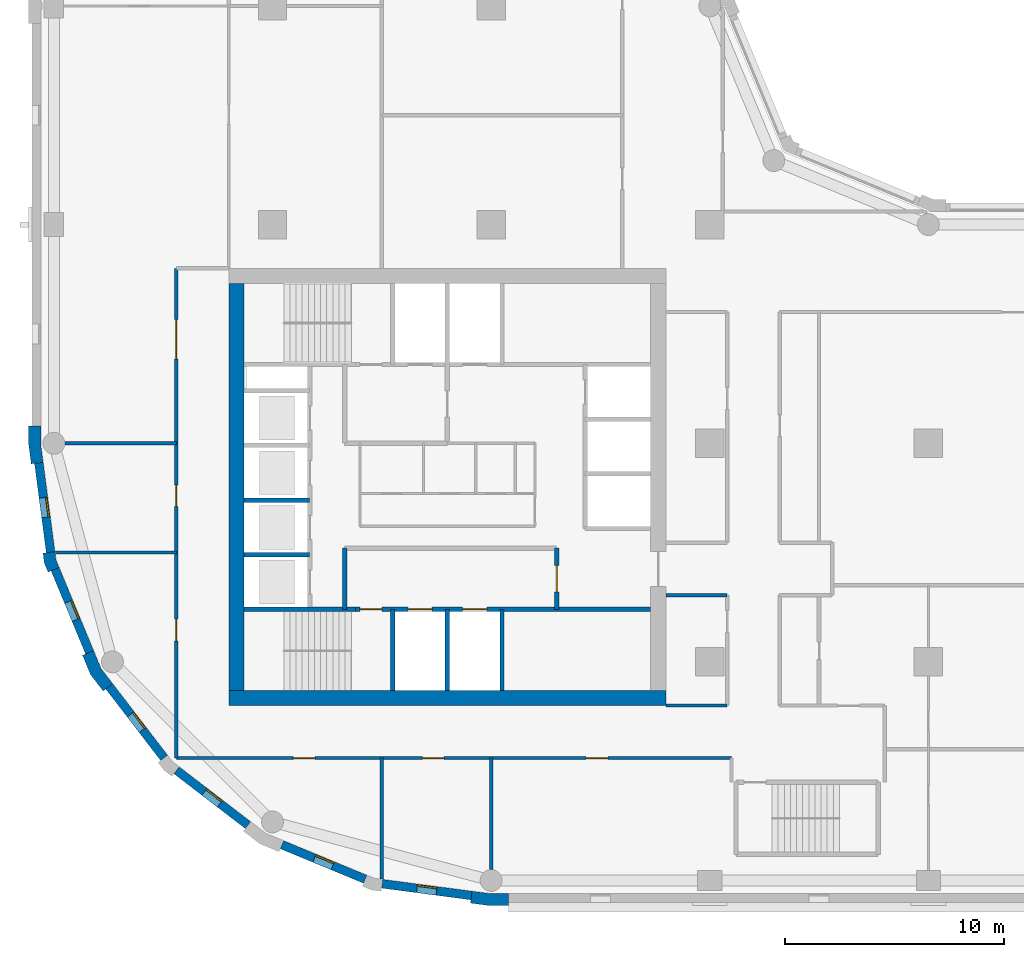
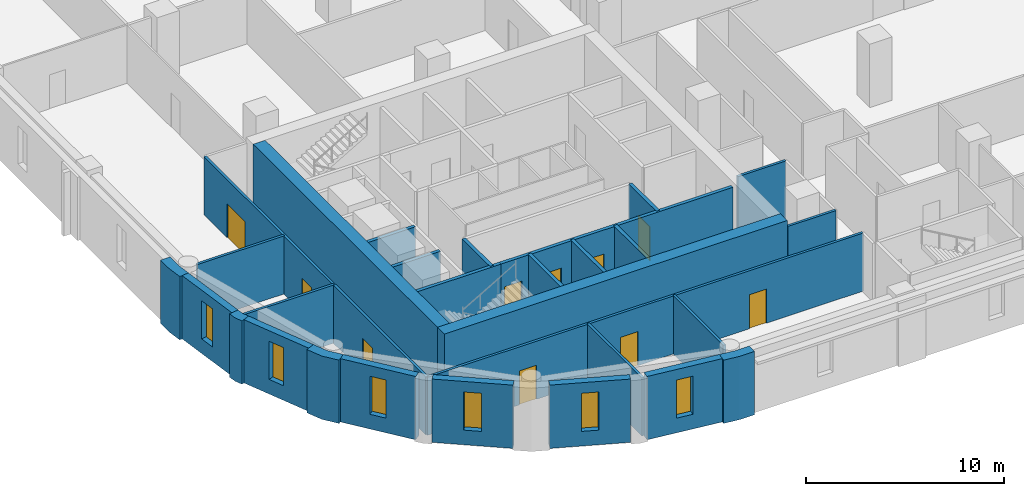
# One storey, part 2 of 10: 29 walls, 10 doors, 6 windows, 16 openings.
"""IFC4 building model written with IfcOpenShell, lengths in metres."""

from ifc_helpers import new_model, si_unit, direction, frame, frame_2d, origin, place, context, subcontext, project, spatial, polyline, rectangle, outline, extrude, material, layer, layer_set, type_object, element, fill, save


model = new_model("IFC4")

# Units and contexts
model_context = context("Model", 3, precision=1e-05, world=origin(), true_north=direction((0.0, 1.0)))
body_context = subcontext(model_context, "Body", "Model", "MODEL_VIEW")
ifc_project = project(units=[si_unit("LENGTHUNIT", "METRE"), si_unit("AREAUNIT", "SQUARE_METRE"), si_unit("VOLUMEUNIT", "CUBIC_METRE"), si_unit("PLANEANGLEUNIT", "RADIAN"), si_unit("MASSUNIT", "GRAM", prefix="KILO")], contexts=[model_context])

# Site, building, storey
site_placement = place(None, origin())
site = spatial("IfcSite", under=ifc_project, at=site_placement, CompositionType="ELEMENT")
building_placement = place(site_placement, origin())
building = spatial("IfcBuilding", under=site, at=building_placement, Name="Qaws Garden Tower", CompositionType="ELEMENT")
storey_placement = place(building_placement, frame((0.0, 0.0, 201.89990234375)))
storey = spatial("IfcBuildingStorey", under=building, at=storey_placement, Name="L49", CompositionType="ELEMENT", Elevation=201.89990234375)

# Wall, opening, window
ifc_material_1 = material(Name="Clay facing brick masonry", Category="masonry")
ifc_layer_1 = layer(ifc_material_1, 0.39990234375)
ifc_layer_set_1 = layer_set([ifc_layer_1], Name="Clay facing brick masonry")
wall_type_1 = type_object("IfcWallType", Name="Brick infill wall 400", PredefinedType="SOLIDWALL", material=ifc_layer_set_1)
wall_1_placement = place(storey_placement, frame((-0.688720703125, 19.102294921875, 0.0), z_axis=(0.0, 0.0, 1.0), x_axis=(0.130514280502, -0.991446429508, 0.0)))
wall_1 = element("IfcWall", 1, at=wall_1_placement, inside=storey, type_object=wall_type_1, Name="E-L49-infill-25", PredefinedType="SOLIDWALL", context=body_context, shape_type="SweptSolid", body=[
    extrude(rectangle(XDim=4.120849609375, YDim=0.39990234375, at=frame_2d((2.060546875, 0.0))), origin(), (0.0, 0.0, 1.0), 3.900146484375),
])
opening_1_placement = place(wall_1_placement, frame((1.610595703125, 0.0, 0.89990234375)))
opening_1 = element("IfcOpeningElement", 2, at=opening_1_placement, cuts=wall_1, Name="Opening W09", PredefinedType="OPENING", context=body_context, shape_type="SweptSolid", body=[
    extrude(rectangle(XDim=0.89990234375, YDim=2.35009765625, at=frame_2d((0.449951171875, 1.175048828125))), frame((0.0, 0.2099609375, 0.0), z_axis=(0.0, -1.0, 0.0), x_axis=(1.0, 0.0, 0.0)), (0.0, 0.0, 1.0), 0.419921875),
])
ifc_material_2 = material(Name="Aluminium framed window, clear glazing", Category="aluminium")
window_type = type_object("IfcWindowType", Name="Slit window 900 x 2350", PartitioningType="SINGLE_PANEL", PredefinedType="WINDOW", material=ifc_material_2)
window_1_placement = place(opening_1_placement, origin())
window_1 = element("IfcWindow", 3, at=window_1_placement, inside=storey, type_object=window_type, Name="E-L49-window-25-0", OverallHeight=2.35009765625, OverallWidth=0.89990234375, PartitioningType="SINGLE_PANEL", PredefinedType="WINDOW", context=body_context, shape_type="SweptSolid", body=[
    extrude(rectangle(XDim=0.89990234375, YDim=2.35009765625, at=frame_2d((0.449951171875, 1.175048828125))), frame((0.0, 0.159912109375, 0.0), z_axis=(0.0, -1.0, 0.0), x_axis=(1.0, 0.0, 0.0)), (0.0, 0.0, 1.0), 0.06005859375),
])
fill(opening_1, window_1)

wall_2_placement = place(storey_placement, frame((0.05712890625, 14.240234375, 0.0), z_axis=(0.0, 0.0, 1.0), x_axis=(0.382721546029, -0.923863744394, 0.0)))
wall_2 = element("IfcWall", 4, at=wall_2_placement, inside=storey, type_object=wall_type_1, Name="E-L49-infill-26", PredefinedType="SOLIDWALL", context=body_context, shape_type="SweptSolid", body=[
    extrude(rectangle(XDim=4.120849609375, YDim=0.39990234375, at=frame_2d((2.060546875, 0.0))), origin(), (0.0, 0.0, 1.0), 3.900146484375),
])
opening_2_placement = place(wall_2_placement, frame((1.610595703125, 0.0, 0.89990234375)))
opening_2 = element("IfcOpeningElement", 5, at=opening_2_placement, cuts=wall_2, Name="Opening W09", PredefinedType="OPENING", context=body_context, shape_type="SweptSolid", body=[
    extrude(rectangle(XDim=0.89990234375, YDim=2.35009765625, at=frame_2d((0.449951171875, 1.175048828125))), frame((0.0, 0.2099609375, 0.0), z_axis=(0.0, -1.0, 0.0), x_axis=(1.0, 0.0, 0.0)), (0.0, 0.0, 1.0), 0.419921875),
])
window_2_placement = place(opening_2_placement, origin())
window_2 = element("IfcWindow", 6, at=window_2_placement, inside=storey, type_object=window_type, Name="E-L49-window-26-0", OverallHeight=2.35009765625, OverallWidth=0.89990234375, PartitioningType="SINGLE_PANEL", PredefinedType="WINDOW", context=body_context, shape_type="SweptSolid", body=[
    extrude(rectangle(XDim=0.89990234375, YDim=2.35009765625, at=frame_2d((0.449951171875, 1.175048828125))), frame((0.0, 0.159912109375, 0.0), z_axis=(0.0, -1.0, 0.0), x_axis=(1.0, 0.0, 0.0)), (0.0, 0.0, 1.0), 0.06005859375),
])
fill(opening_2, window_2)

wall_3_placement = place(storey_placement, frame((2.53173828125, 8.87841796875, 0.0), z_axis=(0.0, 0.0, 1.0), x_axis=(0.608759824817, -0.793354571229, 0.0)))
wall_3 = element("IfcWall", 7, at=wall_3_placement, inside=storey, type_object=wall_type_1, Name="E-L49-infill-27", PredefinedType="SOLIDWALL", context=body_context, shape_type="SweptSolid", body=[
    extrude(rectangle(XDim=4.12109375, YDim=0.39990234375, at=frame_2d((2.060546875, 0.0))), origin(), (0.0, 0.0, 1.0), 3.900146484375),
])
opening_3_placement = place(wall_3_placement, frame((1.610595703125, 0.0, 0.89990234375)))
opening_3 = element("IfcOpeningElement", 8, at=opening_3_placement, cuts=wall_3, Name="Opening W09", PredefinedType="OPENING", context=body_context, shape_type="SweptSolid", body=[
    extrude(rectangle(XDim=0.89990234375, YDim=2.35009765625, at=frame_2d((0.449951171875, 1.175048828125))), frame((0.0, 0.2099609375, 0.0), z_axis=(0.0, -1.0, 0.0), x_axis=(1.0, 0.0, 0.0)), (0.0, 0.0, 1.0), 0.419921875),
])
window_3_placement = place(opening_3_placement, origin())
window_3 = element("IfcWindow", 9, at=window_3_placement, inside=storey, type_object=window_type, Name="E-L49-window-27-0", OverallHeight=2.35009765625, OverallWidth=0.89990234375, PartitioningType="SINGLE_PANEL", PredefinedType="WINDOW", context=body_context, shape_type="SweptSolid", body=[
    extrude(rectangle(XDim=0.89990234375, YDim=2.35009765625, at=frame_2d((0.449951171875, 1.175048828125))), frame((0.0, 0.159912109375, 0.0), z_axis=(0.0, -1.0, 0.0), x_axis=(1.0, 0.0, 0.0)), (0.0, 0.0, 1.0), 0.06005859375),
])
fill(opening_3, window_3)

wall_4_placement = place(storey_placement, frame((5.60888671875, 5.04052734375, 0.0), z_axis=(0.0, 0.0, 1.0), x_axis=(0.793354571229, -0.608759824817, 0.0)))
wall_4 = element("IfcWall", 10, at=wall_4_placement, inside=storey, type_object=wall_type_1, Name="E-L49-infill-28", PredefinedType="SOLIDWALL", context=body_context, shape_type="SweptSolid", body=[
    extrude(rectangle(XDim=4.12109375, YDim=0.39990234375, at=frame_2d((2.060546875, 0.0))), origin(), (0.0, 0.0, 1.0), 3.900146484375),
])
opening_4_placement = place(wall_4_placement, frame((1.610595703125, 0.0, 0.89990234375)))
opening_4 = element("IfcOpeningElement", 11, at=opening_4_placement, cuts=wall_4, Name="Opening W09", PredefinedType="OPENING", context=body_context, shape_type="SweptSolid", body=[
    extrude(rectangle(XDim=0.89990234375, YDim=2.35009765625, at=frame_2d((0.449951171875, 1.175048828125))), frame((0.0, 0.2099609375, 0.0), z_axis=(0.0, -1.0, 0.0), x_axis=(1.0, 0.0, 0.0)), (0.0, 0.0, 1.0), 0.419921875),
])
window_4_placement = place(opening_4_placement, origin())
window_4 = element("IfcWindow", 12, at=window_4_placement, inside=storey, type_object=window_type, Name="E-L49-window-28-0", OverallHeight=2.35009765625, OverallWidth=0.89990234375, PartitioningType="SINGLE_PANEL", PredefinedType="WINDOW", context=body_context, shape_type="SweptSolid", body=[
    extrude(rectangle(XDim=0.89990234375, YDim=2.35009765625, at=frame_2d((0.449951171875, 1.175048828125))), frame((0.0, 0.159912109375, 0.0), z_axis=(0.0, -1.0, 0.0), x_axis=(1.0, 0.0, 0.0)), (0.0, 0.0, 1.0), 0.06005859375),
])
fill(opening_4, window_4)

wall_5_placement = place(storey_placement, frame((10.43310546875, 1.63427734375, 0.0), z_axis=(0.0, 0.0, 1.0), x_axis=(0.923863744394, -0.382721546029, 0.0)))
wall_5 = element("IfcWall", 13, at=wall_5_placement, inside=storey, type_object=wall_type_1, Name="E-L49-infill-29", PredefinedType="SOLIDWALL", context=body_context, shape_type="SweptSolid", body=[
    extrude(rectangle(XDim=4.120849609375, YDim=0.39990234375, at=frame_2d((2.060546875, 0.0))), origin(), (0.0, 0.0, 1.0), 3.900146484375),
])
opening_5_placement = place(wall_5_placement, frame((1.610595703125, 0.0, 0.89990234375)))
opening_5 = element("IfcOpeningElement", 14, at=opening_5_placement, cuts=wall_5, Name="Opening W09", PredefinedType="OPENING", context=body_context, shape_type="SweptSolid", body=[
    extrude(rectangle(XDim=0.89990234375, YDim=2.35009765625, at=frame_2d((0.449951171875, 1.175048828125))), frame((0.0, 0.2099609375, 0.0), z_axis=(0.0, -1.0, 0.0), x_axis=(1.0, 0.0, 0.0)), (0.0, 0.0, 1.0), 0.419921875),
])
window_5_placement = place(opening_5_placement, origin())
window_5 = element("IfcWindow", 15, at=window_5_placement, inside=storey, type_object=window_type, Name="E-L49-window-29-0", OverallHeight=2.35009765625, OverallWidth=0.89990234375, PartitioningType="SINGLE_PANEL", PredefinedType="WINDOW", context=body_context, shape_type="SweptSolid", body=[
    extrude(rectangle(XDim=0.89990234375, YDim=2.35009765625, at=frame_2d((0.449951171875, 1.175048828125))), frame((0.0, 0.159912109375, 0.0), z_axis=(0.0, -1.0, 0.0), x_axis=(1.0, 0.0, 0.0)), (0.0, 0.0, 1.0), 0.06005859375),
])
fill(opening_5, window_5)

wall_6_placement = place(storey_placement, frame((15.0166015625, -0.15087890625, 0.0), z_axis=(0.0, 0.0, 1.0), x_axis=(0.991446429508, -0.130514280502, 0.0)))
wall_6 = element("IfcWall", 16, at=wall_6_placement, inside=storey, type_object=wall_type_1, Name="E-L49-infill-30", PredefinedType="SOLIDWALL", context=body_context, shape_type="SweptSolid", body=[
    extrude(rectangle(XDim=4.120849609375, YDim=0.39990234375, at=frame_2d((2.060546875, 0.0))), origin(), (0.0, 0.0, 1.0), 3.900146484375),
])
opening_6_placement = place(wall_6_placement, frame((1.610595703125, 0.0, 0.89990234375)))
opening_6 = element("IfcOpeningElement", 17, at=opening_6_placement, cuts=wall_6, Name="Opening W09", PredefinedType="OPENING", context=body_context, shape_type="SweptSolid", body=[
    extrude(rectangle(XDim=0.89990234375, YDim=2.35009765625, at=frame_2d((0.449951171875, 1.175048828125))), frame((0.0, 0.2099609375, 0.0), z_axis=(0.0, -1.0, 0.0), x_axis=(1.0, 0.0, 0.0)), (0.0, 0.0, 1.0), 0.419921875),
])
window_6_placement = place(opening_6_placement, origin())
window_6 = element("IfcWindow", 18, at=window_6_placement, inside=storey, type_object=window_type, Name="E-L49-window-30-0", OverallHeight=2.35009765625, OverallWidth=0.89990234375, PartitioningType="SINGLE_PANEL", PredefinedType="WINDOW", context=body_context, shape_type="SweptSolid", body=[
    extrude(rectangle(XDim=0.89990234375, YDim=2.35009765625, at=frame_2d((0.449951171875, 1.175048828125))), frame((0.0, 0.159912109375, 0.0), z_axis=(0.0, -1.0, 0.0), x_axis=(1.0, 0.0, 0.0)), (0.0, 0.0, 1.0), 0.06005859375),
])
fill(opening_6, window_6)

# Walls
ifc_material_3 = material(Name="Clay facing brick masonry", Category="masonry")
ifc_layer_2 = layer(ifc_material_3, 0.550048828125)
ifc_layer_set_2 = layer_set([ifc_layer_2], Name="Clay facing brick masonry")
wall_type_2 = type_object("IfcWallType", Name="Brick kink pier 550 x 600", PredefinedType="SOLIDWALL", material=ifc_layer_set_2)
placement = place(storey_placement, origin())
element("IfcWall", 19, at=placement, inside=storey, type_object=wall_type_2, Name="E-L49-pier-26", PredefinedType="SOLIDWALL", context=body_context, shape_type="SweptSolid", body=[
    extrude(outline(polyline([(-0.34912109375, 14.990478515625), (-0.497802734375, 14.970947265625), (-0.43896484375, 14.5234375), (-0.26611328125, 14.1064453125), (-0.127685546875, 14.163818359375), (0.241943359375, 14.31689453125), (0.096923828125, 14.6669921875), (0.04736328125, 15.042724609375), (-0.34912109375, 14.990478515625)])), origin(), (0.0, 0.0, 1.0), 3.900146484375),
])
ifc_material_4 = material(Name="Clay facing brick masonry", Category="masonry")
ifc_layer_3 = layer(ifc_material_4, 0.550048828125)
ifc_layer_set_3 = layer_set([ifc_layer_3], Name="Clay facing brick masonry")
wall_type_3 = type_object("IfcWallType", Name="Brick pier 550 x 1600", PredefinedType="SOLIDWALL", material=ifc_layer_set_3)
element("IfcWall", 20, at=placement, inside=storey, type_object=wall_type_3, Name="E-L49-pier-00", PredefinedType="SOLIDWALL", context=body_context, shape_type="SweptSolid", body=[
    extrude(outline(polyline([(19.076416015625, -0.886962890625), (19.056640625, -1.03564453125), (19.924560546875, -1.14990234375), (20.800048828125, -1.14990234375), (20.800048828125, -1.0), (20.800048828125, -0.60009765625), (19.960693359375, -0.60009765625), (19.12841796875, -0.490478515625), (19.076416015625, -0.886962890625)])), origin(), (0.0, 0.0, 1.0), 3.900146484375),
])
element("IfcWall", 21, at=placement, inside=storey, type_object=wall_type_3, Name="E-L49-pier-25", PredefinedType="SOLIDWALL", context=body_context, shape_type="SweptSolid", body=[
    extrude(outline(polyline([(-1.0, 20.800048828125), (-1.14990234375, 20.800048828125), (-1.14990234375, 19.924560546875), (-1.03564453125, 19.056640625), (-0.886962890625, 19.076416015625), (-0.490478515625, 19.12841796875), (-0.60009765625, 19.960693359375), (-0.60009765625, 20.800048828125), (-1.0, 20.800048828125)])), origin(), (0.0, 0.0, 1.0), 3.900146484375),
])
element("IfcWall", 22, at=placement, inside=storey, type_object=wall_type_3, Name="E-L49-pier-27", PredefinedType="SOLIDWALL", context=body_context, shape_type="SweptSolid", body=[
    extrude(outline(polyline([(1.449462890625, 10.3564453125), (1.310791015625, 10.299072265625), (1.675048828125, 9.419921875), (2.254150390625, 8.665283203125), (2.373046875, 8.756591796875), (2.6904296875, 9.0), (2.1552734375, 9.697509765625), (1.819091796875, 10.509521484375), (1.449462890625, 10.3564453125)])), origin(), (0.0, 0.0, 1.0), 3.900146484375),
])
ifc_material_5 = material(Name="Concrete C70", Category="concrete")
ifc_layer_4 = layer(ifc_material_5, 0.199951171875)
ifc_layer_set_4 = layer_set([ifc_layer_4], Name="Concrete C70")
wall_type_4 = type_object("IfcWallType", Name="Core shaft wall 200 C70", PredefinedType="SHEAR", material=ifc_layer_set_4)
wall_11_placement = place(storey_placement, frame((8.699951171875, 12.39990234375, 0.0), z_axis=(0.0, 0.0, 1.0), x_axis=(1.0, 0.0, 0.0)))
element("IfcWall", 23, at=wall_11_placement, inside=storey, type_object=wall_type_4, Name="Shaft wall", PredefinedType="SHEAR", context=body_context, shape_type="SweptSolid", body=[
    extrude(rectangle(XDim=5.10009765625, YDim=0.199951171875, at=frame_2d((2.550048828125, 0.0))), origin(), (0.0, 0.0, 1.0), 3.580078125),
])

# Wall, openings, doors
wall_12_placement = place(storey_placement, frame((13.800048828125, 12.39990234375, 0.0), z_axis=(0.0, 0.0, 1.0), x_axis=(1.0, 0.0, 0.0)))
wall_12 = element("IfcWall", 24, at=wall_12_placement, inside=storey, type_object=wall_type_4, Name="Shaft wall", PredefinedType="SHEAR", context=body_context, shape_type="SweptSolid", body=[
    extrude(rectangle(XDim=13.5, YDim=0.199951171875, at=frame_2d((6.75, 0.0))), origin(), (0.0, 0.0, 1.0), 3.580078125),
])
opening_7_placement = place(wall_12_placement, frame((2.39990234375, 0.0, 0.0)))
opening_7 = element("IfcOpeningElement", 25, at=opening_7_placement, cuts=wall_12, Name="Opening LD06", PredefinedType="OPENING", context=body_context, shape_type="SweptSolid", body=[
    extrude(rectangle(XDim=1.10009765625, YDim=2.10009765625, at=frame_2d((0.550048828125, 1.050048828125))), frame((0.0, 0.10986328125, 0.0), z_axis=(0.0, -1.0, 0.0), x_axis=(1.0, 0.0, 0.0)), (0.0, 0.0, 1.0), 0.219970703125),
])
opening_8_placement = place(wall_12_placement, frame((4.89990234375, 0.0, 0.0)))
opening_8 = element("IfcOpeningElement", 26, at=opening_8_placement, cuts=wall_12, Name="Opening LD07", PredefinedType="OPENING", context=body_context, shape_type="SweptSolid", body=[
    extrude(rectangle(XDim=1.10009765625, YDim=2.10009765625, at=frame_2d((0.550048828125, 1.050048828125))), frame((0.0, 0.10986328125, 0.0), z_axis=(0.0, -1.0, 0.0), x_axis=(1.0, 0.0, 0.0)), (0.0, 0.0, 1.0), 0.219970703125),
])
opening_9_placement = place(wall_12_placement, frame((0.199951171875, 0.0, 0.0)))
opening_9 = element("IfcOpeningElement", 27, at=opening_9_placement, cuts=wall_12, Name="Opening SD10", PredefinedType="OPENING", context=body_context, shape_type="SweptSolid", body=[
    extrude(rectangle(XDim=1.0, YDim=2.10009765625, at=frame_2d((0.5, 1.050048828125))), frame((0.0, 0.10986328125, 0.0), z_axis=(0.0, -1.0, 0.0), x_axis=(1.0, 0.0, 0.0)), (0.0, 0.0, 1.0), 0.219970703125),
])
ifc_material_6 = material(Name="Steel S235", Category="steel")
door_type_1 = type_object("IfcDoorType", Name="Landing door 1100x2100", OperationType="DOUBLE_DOOR_SLIDING", PredefinedType="DOOR", material=ifc_material_6)
door_1_placement = place(opening_7_placement, origin())
door_1 = element("IfcDoor", 28, at=door_1_placement, inside=storey, type_object=door_type_1, Name="Lift FF1 landing door", OperationType="DOUBLE_DOOR_SLIDING", OverallHeight=2.10009765625, OverallWidth=1.10009765625, PredefinedType="DOOR", context=body_context, shape_type="SweptSolid", body=[
    extrude(rectangle(XDim=1.10009765625, YDim=2.10009765625, at=frame_2d((0.550048828125, 1.050048828125))), frame((0.0, 0.02490234375, 0.0), z_axis=(0.0, -1.0, 0.0), x_axis=(1.0, 0.0, 0.0)), (0.0, 0.0, 1.0), 0.050048828125),
])
fill(opening_7, door_1)
door_2_placement = place(opening_8_placement, origin())
door_2 = element("IfcDoor", 29, at=door_2_placement, inside=storey, type_object=door_type_1, Name="Lift FF2 landing door", OperationType="DOUBLE_DOOR_SLIDING", OverallHeight=2.10009765625, OverallWidth=1.10009765625, PredefinedType="DOOR", context=body_context, shape_type="SweptSolid", body=[
    extrude(rectangle(XDim=1.10009765625, YDim=2.10009765625, at=frame_2d((0.550048828125, 1.050048828125))), frame((0.0, 0.02490234375, 0.0), z_axis=(0.0, -1.0, 0.0), x_axis=(1.0, 0.0, 0.0)), (0.0, 0.0, 1.0), 0.050048828125),
])
fill(opening_8, door_2)
ifc_material_7 = material(Name="Steel S235", Category="steel")
door_type_2 = type_object("IfcDoorType", Name="Stair door 1000x2100", OperationType="SINGLE_SWING_RIGHT", PredefinedType="DOOR", material=ifc_material_7)
door_3_placement = place(opening_9_placement, frame((1.0, 0.0, 0.0), z_axis=(0.0, 0.0, 1.0), x_axis=(-1.0, 0.0, 0.0)))
door_3 = element("IfcDoor", 30, at=door_3_placement, inside=storey, type_object=door_type_2, Name="Stair 1 door", OperationType="SINGLE_SWING_LEFT", OverallHeight=2.10009765625, OverallWidth=1.0, PredefinedType="DOOR", context=body_context, shape_type="SweptSolid", body=[
    extrude(rectangle(XDim=1.0, YDim=2.10009765625, at=frame_2d((0.5, 1.050048828125))), frame((0.0, 0.02490234375, 0.0), z_axis=(0.0, -1.0, 0.0), x_axis=(1.0, 0.0, 0.0)), (0.0, 0.0, 1.0), 0.050048828125),
])
fill(opening_9, door_3)

# Walls
for number, where, z_axis, x_axis, name in (
    (31, (8.699951171875, 14.89990234375, 0.0), (0.0, 0.0, 1.0), (1.0, 0.0, 0.0), "Shaft wall"),
    (32, (8.699951171875, 17.39990234375, 0.0), (0.0, 0.0, 1.0), (1.0, 0.0, 0.0), "Shaft wall"),
):
    element("IfcWall", number, at=place(storey_placement, frame(where, z_axis=z_axis, x_axis=x_axis)), inside=storey, type_object=wall_type_4, Name=name, PredefinedType="SHEAR", context=body_context, shape_type="SweptSolid", body=[
        extrude(rectangle(XDim=3.0, YDim=0.199951171875, at=frame_2d((1.5, 0.0))), origin(), (0.0, 0.0, 1.0), 3.580078125),
    ])
wall_13_placement = place(storey_placement, frame((13.300048828125, 12.39990234375, 0.0), z_axis=(0.0, 0.0, 1.0), x_axis=(0.0, 1.0, 0.0)))
element("IfcWall", 33, at=wall_13_placement, inside=storey, type_object=wall_type_4, Name="Shaft wall", PredefinedType="SHEAR", context=body_context, shape_type="SweptSolid", body=[
    extrude(rectangle(XDim=2.800048828125, YDim=0.199951171875, at=frame_2d((1.39990234375, 0.0))), origin(), (0.0, 0.0, 1.0), 3.580078125),
])
for number, where, z_axis, x_axis, name in (
    (34, (15.5, 8.699951171875, 0.0), (0.0, 0.0, 1.0), (0.0, 1.0, 0.0), "Shaft wall"),
    (35, (18.0, 8.699951171875, 0.0), (0.0, 0.0, 1.0), (0.0, 1.0, 0.0), "Shaft wall"),
    (36, (20.5, 8.699951171875, 0.0), (0.0, 0.0, 1.0), (0.0, 1.0, 0.0), "Shaft wall"),
):
    element("IfcWall", number, at=place(storey_placement, frame(where, z_axis=z_axis, x_axis=x_axis)), inside=storey, type_object=wall_type_4, Name=name, PredefinedType="SHEAR", context=body_context, shape_type="SweptSolid", body=[
        extrude(rectangle(XDim=3.699951171875, YDim=0.199951171875, at=frame_2d((1.85009765625, 0.0))), origin(), (0.0, 0.0, 1.0), 3.580078125),
    ])

# Wall, opening, door
wall_14_placement = place(storey_placement, frame((23.0, 12.39990234375, 0.0), z_axis=(0.0, 0.0, 1.0), x_axis=(0.0, 1.0, 0.0)))
wall_14 = element("IfcWall", 37, at=wall_14_placement, inside=storey, type_object=wall_type_4, Name="Shaft wall", PredefinedType="SHEAR", context=body_context, shape_type="SweptSolid", body=[
    extrude(rectangle(XDim=2.800048828125, YDim=0.199951171875, at=frame_2d((1.39990234375, 0.0))), origin(), (0.0, 0.0, 1.0), 3.580078125),
])
opening_10_placement = place(wall_14_placement, frame((0.800048828125, 0.0, 0.0)))
opening_10 = element("IfcOpeningElement", 38, at=opening_10_placement, cuts=wall_14, Name="Opening FD15", PredefinedType="OPENING", context=body_context, shape_type="SweptSolid", body=[
    extrude(rectangle(XDim=1.199951171875, YDim=2.10009765625, at=frame_2d((0.60009765625, 1.050048828125))), frame((0.0, 0.10986328125, 0.0), z_axis=(0.0, -1.0, 0.0), x_axis=(1.0, 0.0, 0.0)), (0.0, 0.0, 1.0), 0.219970703125),
])
ifc_material_8 = material(Name="Steel S235", Category="steel")
door_type_3 = type_object("IfcDoorType", Name="Lobby door 1200x2100", OperationType="DOUBLE_DOOR_SINGLE_SWING", PredefinedType="DOOR", material=ifc_material_8)
door_4_placement = place(opening_10_placement, origin())
door_4 = element("IfcDoor", 39, at=door_4_placement, inside=storey, type_object=door_type_3, Name="Fire-fighting lobby door", OperationType="DOUBLE_DOOR_SINGLE_SWING", OverallHeight=2.10009765625, OverallWidth=1.199951171875, PredefinedType="DOOR", context=body_context, shape_type="SweptSolid", body=[
    extrude(rectangle(XDim=1.199951171875, YDim=2.10009765625, at=frame_2d((0.60009765625, 1.050048828125))), frame((0.0, 0.02490234375, 0.0), z_axis=(0.0, -1.0, 0.0), x_axis=(1.0, 0.0, 0.0)), (0.0, 0.0, 1.0), 0.050048828125),
])
fill(opening_10, door_4)

# Walls
ifc_material_9 = material(Name="Concrete C70", Category="concrete")
ifc_layer_5 = layer(ifc_material_9, 0.699951171875)
ifc_layer_set_5 = layer_set([ifc_layer_5], Name="Concrete C70")
wall_type_5 = type_object("IfcWallType", Name="Core wall 700 C70", PredefinedType="SHEAR", material=ifc_layer_set_5)
wall_15_placement = place(storey_placement, frame((8.0, 8.35009765625, 0.0), z_axis=(0.0, 0.0, 1.0), x_axis=(1.0, 0.0, 0.0)))
element("IfcWall", 40, at=wall_15_placement, inside=storey, type_object=wall_type_5, Name="Core wall L49 south", PredefinedType="SHEAR", context=body_context, shape_type="SweptSolid", body=[
    extrude(rectangle(XDim=20.0, YDim=0.699951171875, at=frame_2d((10.0, 0.0))), origin(), (0.0, 0.0, 1.0), 3.900146484375),
])
wall_16_placement = place(storey_placement, frame((8.35009765625, 27.300048828125, 0.0), z_axis=(0.0, 0.0, 1.0), x_axis=(0.0, -1.0, 0.0)))
element("IfcWall", 41, at=wall_16_placement, inside=storey, type_object=wall_type_5, Name="Core wall L49 west", PredefinedType="SHEAR", context=body_context, shape_type="SweptSolid", body=[
    extrude(rectangle(XDim=18.60009765625, YDim=0.699951171875, at=frame_2d((9.300048828125, 0.0))), origin(), (0.0, 0.0, 1.0), 3.900146484375),
])

# Wall, openings, doors
ifc_material_10 = material(Name="Gypsum board partition")
ifc_layer_6 = layer(ifc_material_10, 0.14990234375)
ifc_layer_set_6 = layer_set([ifc_layer_6], Name="Gypsum board partition")
wall_type_6 = type_object("IfcWallType", Name="PARTITION 150 EI 60", PredefinedType="PARTITIONING", material=ifc_layer_set_6)
wall_17_placement = place(storey_placement, frame((5.60009765625, 5.60009765625, 0.0), z_axis=(0.0, 0.0, 1.0), x_axis=(0.0, 1.0, 0.0)))
wall_17 = element("IfcWall", 42, at=wall_17_placement, inside=storey, type_object=wall_type_6, Name="O-L49-wall-010", PredefinedType="PARTITIONING", context=body_context, shape_type="SweptSolid", body=[
    extrude(rectangle(XDim=22.39990234375, YDim=0.14990234375, at=frame_2d((11.199951171875, 0.0))), origin(), (0.0, 0.0, 1.0), 3.580078125),
])
opening_11_placement = place(wall_17_placement, frame((5.35009765625, 0.0, 0.0)))
opening_11 = element("IfcOpeningElement", 43, at=opening_11_placement, cuts=wall_17, Name="Opening B701", PredefinedType="OPENING", context=body_context, shape_type="SweptSolid", body=[
    extrude(rectangle(XDim=1.0, YDim=2.10009765625, at=frame_2d((0.5, 1.050048828125))), frame((0.0, 0.0849609375, 0.0), z_axis=(0.0, -1.0, 0.0), x_axis=(1.0, 0.0, 0.0)), (0.0, 0.0, 1.0), 0.169921875),
])
opening_12_placement = place(wall_17_placement, frame((11.5, 0.0, 0.0)))
opening_12 = element("IfcOpeningElement", 44, at=opening_12_placement, cuts=wall_17, Name="Opening B702", PredefinedType="OPENING", context=body_context, shape_type="SweptSolid", body=[
    extrude(rectangle(XDim=1.0, YDim=2.10009765625, at=frame_2d((0.5, 1.050048828125))), frame((0.0, 0.0849609375, 0.0), z_axis=(0.0, -1.0, 0.0), x_axis=(1.0, 0.0, 0.0)), (0.0, 0.0, 1.0), 0.169921875),
])
opening_13_placement = place(wall_17_placement, frame((18.25, 0.0, 0.0)))
opening_13 = element("IfcOpeningElement", 45, at=opening_13_placement, cuts=wall_17, Name="Opening B711", PredefinedType="OPENING", context=body_context, shape_type="SweptSolid", body=[
    extrude(rectangle(XDim=1.800048828125, YDim=2.10009765625, at=frame_2d((0.89990234375, 1.050048828125))), frame((0.0, 0.0849609375, 0.0), z_axis=(0.0, -1.0, 0.0), x_axis=(1.0, 0.0, 0.0)), (0.0, 0.0, 1.0), 0.169921875),
])
ifc_material_11 = material(Name="Timber door leaf", Category="wood")
door_type_4 = type_object("IfcDoorType", Name="DOUBLE DOOR 1800 X 2100", OperationType="DOUBLE_DOOR_SINGLE_SWING", PredefinedType="DOOR", material=ifc_material_11)
door_5_placement = place(opening_13_placement, origin())
door_5 = element("IfcDoor", 46, at=door_5_placement, inside=storey, type_object=door_type_4, Name="O-L49-door-011", OperationType="DOUBLE_DOOR_SINGLE_SWING", OverallHeight=2.10009765625, OverallWidth=1.800048828125, PredefinedType="DOOR", context=body_context, shape_type="SweptSolid", body=[
    extrude(rectangle(XDim=1.800048828125, YDim=2.10009765625, at=frame_2d((0.89990234375, 1.050048828125))), frame((0.0, 0.02490234375, 0.0), z_axis=(0.0, -1.0, 0.0), x_axis=(1.0, 0.0, 0.0)), (0.0, 0.0, 1.0), 0.050048828125),
])
fill(opening_13, door_5)
ifc_material_12 = material(Name="Timber door leaf", Category="wood")
door_type_5 = type_object("IfcDoorType", Name="TENANCY ENTRANCE DOOR 1000 X 2100", OperationType="SINGLE_SWING_LEFT", PredefinedType="DOOR", material=ifc_material_12)
door_6_placement = place(opening_11_placement, origin())
door_6 = element("IfcDoor", 47, at=door_6_placement, inside=storey, type_object=door_type_5, Name="O-L49-door-001", OperationType="SINGLE_SWING_RIGHT", OverallHeight=2.10009765625, OverallWidth=1.0, PredefinedType="DOOR", context=body_context, shape_type="SweptSolid", body=[
    extrude(rectangle(XDim=1.0, YDim=2.10009765625, at=frame_2d((0.5, 1.050048828125))), frame((0.0, 0.02490234375, 0.0), z_axis=(0.0, -1.0, 0.0), x_axis=(1.0, 0.0, 0.0)), (0.0, 0.0, 1.0), 0.050048828125),
])
fill(opening_11, door_6)
door_7_placement = place(opening_12_placement, origin())
door_7 = element("IfcDoor", 48, at=door_7_placement, inside=storey, type_object=door_type_5, Name="O-L49-door-002", OperationType="SINGLE_SWING_RIGHT", OverallHeight=2.10009765625, OverallWidth=1.0, PredefinedType="DOOR", context=body_context, shape_type="SweptSolid", body=[
    extrude(rectangle(XDim=1.0, YDim=2.10009765625, at=frame_2d((0.5, 1.050048828125))), frame((0.0, 0.02490234375, 0.0), z_axis=(0.0, -1.0, 0.0), x_axis=(1.0, 0.0, 0.0)), (0.0, 0.0, 1.0), 0.050048828125),
])
fill(opening_12, door_7)

# Walls
wall_18_placement = place(storey_placement, frame((15.0, 0.06298828125, 0.0), z_axis=(0.0, 0.0, 1.0), x_axis=(0.0, 1.0, 0.0)))
element("IfcWall", 49, at=wall_18_placement, inside=storey, type_object=wall_type_6, Name="O-L49-wall-014", PredefinedType="PARTITIONING", context=body_context, shape_type="SweptSolid", body=[
    extrude(rectangle(XDim=5.537109375, YDim=0.14990234375, at=frame_2d((2.7685546875, 0.0))), origin(), (0.0, 0.0, 1.0), 3.580078125),
])
wall_19_placement = place(storey_placement, frame((20.0, 0.5, 0.0), z_axis=(0.0, 0.0, 1.0), x_axis=(0.0, 1.0, 0.0)))
element("IfcWall", 50, at=wall_19_placement, inside=storey, type_object=wall_type_6, Name="O-L49-wall-017", PredefinedType="PARTITIONING", context=body_context, shape_type="SweptSolid", body=[
    extrude(rectangle(XDim=5.10009765625, YDim=0.14990234375, at=frame_2d((2.550048828125, 0.0))), origin(), (0.0, 0.0, 1.0), 3.580078125),
])

# Wall, openings, doors
wall_20_placement = place(storey_placement, frame((5.60009765625, 5.60009765625, 0.0), z_axis=(0.0, 0.0, 1.0), x_axis=(1.0, 0.0, 0.0)))
wall_20 = element("IfcWall", 51, at=wall_20_placement, inside=storey, type_object=wall_type_6, Name="O-L49-wall-034", PredefinedType="PARTITIONING", context=body_context, shape_type="SweptSolid", body=[
    extrude(rectangle(XDim=25.39990234375, YDim=0.14990234375, at=frame_2d((12.699951171875, 0.0))), origin(), (0.0, 0.0, 1.0), 3.580078125),
])
opening_14_placement = place(wall_20_placement, frame((5.35009765625, 0.0, 0.0)))
opening_14 = element("IfcOpeningElement", 52, at=opening_14_placement, cuts=wall_20, Name="Opening B709", PredefinedType="OPENING", context=body_context, shape_type="SweptSolid", body=[
    extrude(rectangle(XDim=1.0, YDim=2.10009765625, at=frame_2d((0.5, 1.050048828125))), frame((0.0, 0.0849609375, 0.0), z_axis=(0.0, -1.0, 0.0), x_axis=(1.0, 0.0, 0.0)), (0.0, 0.0, 1.0), 0.169921875),
])
opening_15_placement = place(wall_20_placement, frame((11.25, 0.0, 0.0)))
opening_15 = element("IfcOpeningElement", 53, at=opening_15_placement, cuts=wall_20, Name="Opening B716", PredefinedType="OPENING", context=body_context, shape_type="SweptSolid", body=[
    extrude(rectangle(XDim=1.0, YDim=2.10009765625, at=frame_2d((0.5, 1.050048828125))), frame((0.0, 0.0849609375, 0.0), z_axis=(0.0, -1.0, 0.0), x_axis=(1.0, 0.0, 0.0)), (0.0, 0.0, 1.0), 0.169921875),
])
opening_16_placement = place(wall_20_placement, frame((18.75, 0.0, 0.0)))
opening_16 = element("IfcOpeningElement", 54, at=opening_16_placement, cuts=wall_20, Name="Opening B717", PredefinedType="OPENING", context=body_context, shape_type="SweptSolid", body=[
    extrude(rectangle(XDim=1.0, YDim=2.10009765625, at=frame_2d((0.5, 1.050048828125))), frame((0.0, 0.0849609375, 0.0), z_axis=(0.0, -1.0, 0.0), x_axis=(1.0, 0.0, 0.0)), (0.0, 0.0, 1.0), 0.169921875),
])
door_8_placement = place(opening_14_placement, frame((1.0, 0.0, 0.0), z_axis=(0.0, 0.0, 1.0), x_axis=(-1.0, 0.0, 0.0)))
door_8 = element("IfcDoor", 55, at=door_8_placement, inside=storey, type_object=door_type_5, Name="O-L49-door-009", OperationType="SINGLE_SWING_LEFT", OverallHeight=2.10009765625, OverallWidth=1.0, PredefinedType="DOOR", context=body_context, shape_type="SweptSolid", body=[
    extrude(rectangle(XDim=1.0, YDim=2.10009765625, at=frame_2d((0.5, 1.050048828125))), frame((0.0, 0.02490234375, 0.0), z_axis=(0.0, -1.0, 0.0), x_axis=(1.0, 0.0, 0.0)), (0.0, 0.0, 1.0), 0.050048828125),
])
fill(opening_14, door_8)
door_9_placement = place(opening_15_placement, frame((1.0, 0.0, 0.0), z_axis=(0.0, 0.0, 1.0), x_axis=(-1.0, 0.0, 0.0)))
door_9 = element("IfcDoor", 56, at=door_9_placement, inside=storey, type_object=door_type_5, Name="O-L49-door-016", OperationType="SINGLE_SWING_LEFT", OverallHeight=2.10009765625, OverallWidth=1.0, PredefinedType="DOOR", context=body_context, shape_type="SweptSolid", body=[
    extrude(rectangle(XDim=1.0, YDim=2.10009765625, at=frame_2d((0.5, 1.050048828125))), frame((0.0, 0.02490234375, 0.0), z_axis=(0.0, -1.0, 0.0), x_axis=(1.0, 0.0, 0.0)), (0.0, 0.0, 1.0), 0.050048828125),
])
fill(opening_15, door_9)
door_10_placement = place(opening_16_placement, frame((1.0, 0.0, 0.0), z_axis=(0.0, 0.0, 1.0), x_axis=(-1.0, 0.0, 0.0)))
door_10 = element("IfcDoor", 57, at=door_10_placement, inside=storey, type_object=door_type_5, Name="O-L49-door-017", OperationType="SINGLE_SWING_LEFT", OverallHeight=2.10009765625, OverallWidth=1.0, PredefinedType="DOOR", context=body_context, shape_type="SweptSolid", body=[
    extrude(rectangle(XDim=1.0, YDim=2.10009765625, at=frame_2d((0.5, 1.050048828125))), frame((0.0, 0.02490234375, 0.0), z_axis=(0.0, -1.0, 0.0), x_axis=(1.0, 0.0, 0.0)), (0.0, 0.0, 1.0), 0.050048828125),
])
fill(opening_16, door_10)

# Walls
for number, where, z_axis, x_axis, name in (
    (58, (28.0, 8.0, 0.0), (0.0, 0.0, 1.0), (1.0, 0.0, 0.0), "O-L49-wall-036"),
    (59, (28.0, 13.050048828125, 0.0), (0.0, 0.0, 1.0), (1.0, 0.0, 0.0), "O-L49-wall-038"),
):
    element("IfcWall", number, at=place(storey_placement, frame(where, z_axis=z_axis, x_axis=x_axis)), inside=storey, type_object=wall_type_6, Name=name, PredefinedType="PARTITIONING", context=body_context, shape_type="SweptSolid", body=[
        extrude(rectangle(XDim=2.800048828125, YDim=0.14990234375, at=frame_2d((1.39990234375, 0.0))), origin(), (0.0, 0.0, 1.0), 3.580078125),
    ])
wall_21_placement = place(storey_placement, frame((0.06298828125, 15.0, 0.0), z_axis=(0.0, 0.0, 1.0), x_axis=(1.0, 0.0, 0.0)))
element("IfcWall", 60, at=wall_21_placement, inside=storey, type_object=wall_type_6, Name="O-L49-wall-042", PredefinedType="PARTITIONING", context=body_context, shape_type="SweptSolid", body=[
    extrude(rectangle(XDim=5.537109375, YDim=0.14990234375, at=frame_2d((2.7685546875, 0.0))), origin(), (0.0, 0.0, 1.0), 3.580078125),
])
wall_22_placement = place(storey_placement, frame((0.5, 20.0, 0.0), z_axis=(0.0, 0.0, 1.0), x_axis=(1.0, 0.0, 0.0)))
element("IfcWall", 61, at=wall_22_placement, inside=storey, type_object=wall_type_6, Name="O-L49-wall-045", PredefinedType="PARTITIONING", context=body_context, shape_type="SweptSolid", body=[
    extrude(rectangle(XDim=5.10009765625, YDim=0.14990234375, at=frame_2d((2.550048828125, 0.0))), origin(), (0.0, 0.0, 1.0), 3.580078125),
])

save(model, "model.ifc")
